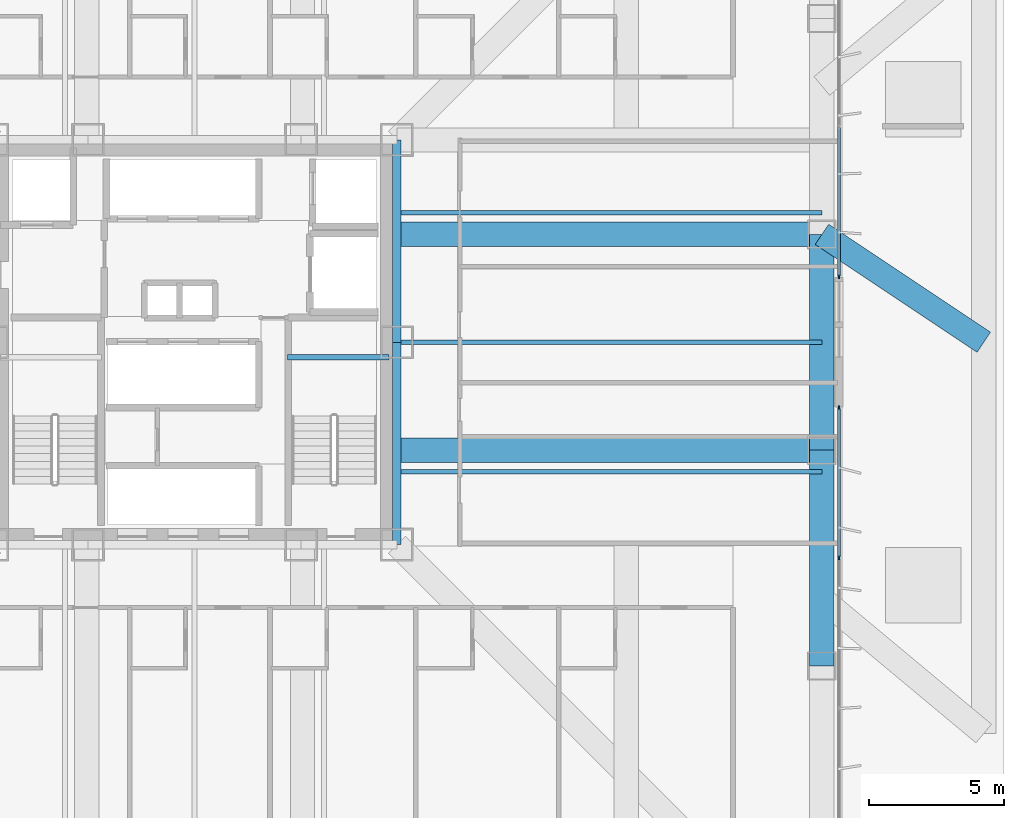
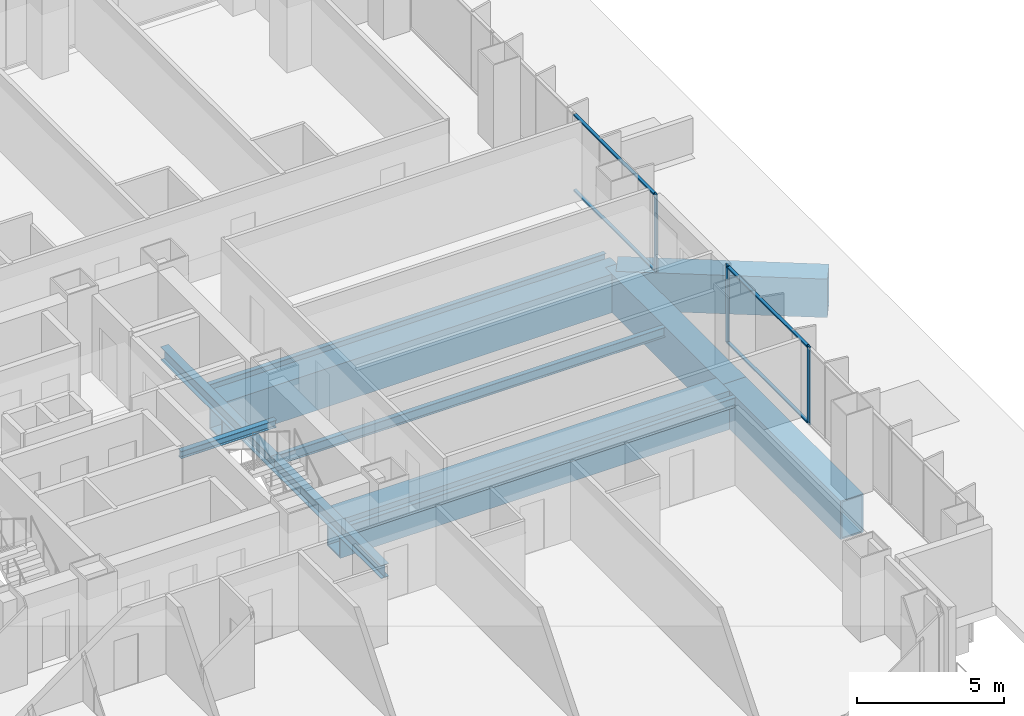
# One storey, part 8 of 24: 11 beams, 7 members, 2 elements without a shape of their own.
"""IFC4 building model written with IfcOpenShell, lengths in metres."""

from ifc_helpers import new_model, si_unit, direction, frame, origin, origin_2d, place, context, subcontext, project, spatial, rectangle, hollow_rectangle, i_section, extrude, material, layer, layer_set, material_profile, profile_set, type_object, element, aggregate, save


model = new_model("IFC4")

# Units and contexts
model_context = context("Model", 3, precision=1e-05, world=origin(), true_north=direction((0.0, 1.0)))
body_context = subcontext(model_context, "Body", "Model", "MODEL_VIEW")
ifc_project = project(units=[si_unit("LENGTHUNIT", "METRE"), si_unit("AREAUNIT", "SQUARE_METRE"), si_unit("VOLUMEUNIT", "CUBIC_METRE"), si_unit("PLANEANGLEUNIT", "RADIAN"), si_unit("MASSUNIT", "GRAM", prefix="KILO")], contexts=[model_context])

# Site, building, storey
site_placement = place(None, origin())
site = spatial("IfcSite", under=ifc_project, at=site_placement, CompositionType="ELEMENT")
building_placement = place(site_placement, origin())
building = spatial("IfcBuilding", under=site, at=building_placement, Name="Trevonay Congress Spire", CompositionType="ELEMENT")
storey_placement = place(building_placement, frame((0.0, 0.0, 27.0)))
storey = spatial("IfcBuildingStorey", under=building, at=storey_placement, Name="L05", CompositionType="ELEMENT", Elevation=27.0)

# Beams
ifc_material_1 = material(Name="Steel ASTM A572 Grade 50", Category="steel")
ifc_material_profile_1 = material_profile(ifc_material_1, i_section(OverallWidth=0.31201171875, OverallDepth=0.54296875, WebThickness=0.0126953125, FlangeThickness=0.020263671875, FilletRadius=0.014892578125, at=origin_2d()), Name="W530x150")
ifc_profile_set_1 = profile_set([ifc_material_profile_1], Name="Steel ASTM A572 Grade 50")
beam_type_1 = type_object("IfcBeamType", Name="BM-GIRD-W530X150", PredefinedType="BEAM", material=ifc_profile_set_1)
for number, where, z_axis, x_axis, name in (
    (1, (7.5, -7.5, -0.67138671875), (0.0, 1.0, 0.0), (-1.0, 0.0, 0.0), "L05 structural beam BM-L05-CR-E1"),
    (2, (7.5, 0.0, -0.67138671875), (0.0, 1.0, 0.0), (-1.0, 0.0, 0.0), "L05 structural beam BM-L05-CR-E2"),
):
    element("IfcBeam", number, at=place(storey_placement, frame(where, z_axis=z_axis, x_axis=x_axis)), inside=storey, type_object=beam_type_1, Name=name, PredefinedType="BEAM", context=body_context, shape_type="SweptSolid", body=[
        extrude(i_section(OverallWidth=0.31201171875, OverallDepth=0.54296875, WebThickness=0.0126953125, FlangeThickness=0.020263671875, FilletRadius=0.014892578125, at=origin_2d()), origin(), (0.0, 0.0, 1.0), 7.5),
    ])
ifc_material_profile_2 = material_profile(ifc_material_1, hollow_rectangle(XDim=0.89990234375, YDim=1.60009765625, WallThickness=0.06005859375, at=origin_2d()), Name="BOX 1600x900x60")
ifc_profile_set_2 = profile_set([ifc_material_profile_2], Name="Steel ASTM A572 Grade 50")
beam_type_2 = type_object("IfcBeamType", Name="BM-RING-BOX1600", PredefinedType="BEAM", material=ifc_profile_set_2)
for number, where, z_axis, x_axis, name in (
    (3, (23.25, -12.0, -1.199951171875), (0.0, 1.0, 0.0), (-1.0, 0.0, 0.0), "L05 structural beam BM-L05-PE2"),
    (4, (23.25, -4.0, -1.199951171875), (0.0, 1.0, 0.0), (-1.0, 0.0, 0.0), "L05 structural beam BM-L05-PE3"),
):
    element("IfcBeam", number, at=place(storey_placement, frame(where, z_axis=z_axis, x_axis=x_axis)), inside=storey, type_object=beam_type_2, Name=name, PredefinedType="BEAM", context=body_context, shape_type="SweptSolid", body=[
        extrude(hollow_rectangle(XDim=0.89990234375, YDim=1.60009765625, WallThickness=0.06005859375, at=origin_2d()), origin(), (0.0, 0.0, 1.0), 8.0),
    ])
ifc_material_profile_3 = material_profile(ifc_material_1, hollow_rectangle(XDim=0.89990234375, YDim=1.60009765625, WallThickness=0.06005859375, at=origin_2d()), Name="BOX 1600x900x60")
ifc_profile_set_3 = profile_set([ifc_material_profile_3], Name="Steel ASTM A572 Grade 50")
beam_type_3 = type_object("IfcBeamType", Name="BM-XFER-BOX1600", PredefinedType="BEAM", material=ifc_profile_set_3)
beam_1_placement = place(storey_placement, frame((23.25, 4.0, -1.199951171875), z_axis=(0.832050294338, -0.554700196225, 0.0), x_axis=(0.554700196225, 0.832050294338, 0.0)))
element("IfcBeam", 5, at=beam_1_placement, inside=storey, type_object=beam_type_3, Name="L05 structural beam BM-L05T-EC", PredefinedType="BEAM", context=body_context, shape_type="SweptSolid", body=[
    extrude(hollow_rectangle(XDim=0.89990234375, YDim=1.60009765625, WallThickness=0.06005859375, at=origin_2d()), origin(), (0.0, 0.0, 1.0), 7.211181640625),
])
for number, where, z_axis, x_axis, name in (
    (6, (7.5, -4.0, -1.199951171875), (1.0, 0.0, 0.0), (0.0, 1.0, 0.0), "L05 structural beam BM-L05-GE-M"),
    (7, (7.5, 4.0, -1.199951171875), (1.0, 0.0, 0.0), (0.0, 1.0, 0.0), "L05 structural beam BM-L05-GE-P"),
):
    element("IfcBeam", number, at=place(storey_placement, frame(where, z_axis=z_axis, x_axis=x_axis)), inside=storey, type_object=beam_type_3, Name=name, PredefinedType="BEAM", context=body_context, shape_type="SweptSolid", body=[
        extrude(hollow_rectangle(XDim=0.89990234375, YDim=1.60009765625, WallThickness=0.06005859375, at=origin_2d()), origin(), (0.0, 0.0, 1.0), 15.75),
    ])

# Curtain wall, members
ifc_material_2 = material(Name="Pale Anodised Aluminium EN AW-6063-T6", Category="aluminium")
ifc_layer = layer(ifc_material_2, 0.179931640625, Name="Pale Anodised Aluminium EN AW-6063-T6")
ifc_layer_set = layer_set([ifc_layer], Name="Pale Anodised Aluminium EN AW-6063-T6")
curtain_wall_type = type_object("IfcCurtainWallType", Name="CW-SYS02-HOTEL-PALE-METAL", PredefinedType="NOTDEFINED", material=ifc_layer_set)
curtain_wall_1_placement = place(storey_placement, origin())
curtain_wall_1 = element("IfcCurtainWall", 8, at=curtain_wall_1_placement, inside=storey, type_object=curtain_wall_type, Name="L05 EA unitised curtain wall", PredefinedType="NOTDEFINED")
ifc_material_profile_4 = material_profile(ifc_material_2, rectangle(XDim=0.06005859375, YDim=0.159912109375, at=origin_2d()), Name="CW-MULLION-160-ALUMINIUM")
ifc_profile_set_4 = profile_set([ifc_material_profile_4], Name="Pale Anodised Aluminium EN AW-6063-T6")
member_type_1 = type_object("IfcMemberType", Name="CW-MULLION-160-ALUMINIUM", PredefinedType="MULLION", material=ifc_profile_set_4)
member_1_placement = place(storey_placement, frame((23.8798828125, -7.9833984375, 0.0), z_axis=(0.0, 0.0, 1.0), x_axis=(-1.0, 0.0, 0.0)))
member_1 = element("IfcMember", 9, at=member_1_placement, type_object=member_type_1, Name="CW02 mullion 3", PredefinedType="MULLION", context=body_context, shape_type="SweptSolid", body=[
    extrude(rectangle(XDim=0.06005859375, YDim=0.159912109375, at=origin_2d()), origin(), (0.0, 0.0, 1.0), 3.25),
])
member_2_placement = place(storey_placement, frame((23.8798828125, -2.429931640625, 0.0), z_axis=(0.0, 0.0, 1.0), x_axis=(-1.0, 0.0, 0.0)))
member_2 = element("IfcMember", 10, at=member_2_placement, type_object=member_type_1, Name="CW02 mullion 4", PredefinedType="MULLION", context=body_context, shape_type="SweptSolid", body=[
    extrude(rectangle(XDim=0.06005859375, YDim=0.159912109375, at=origin_2d()), origin(), (0.0, 0.0, 1.0), 3.25),
])

# Curtain wall, member
curtain_wall_2_placement = place(storey_placement, origin())
curtain_wall_2 = element("IfcCurtainWall", 11, at=curtain_wall_2_placement, inside=storey, type_object=curtain_wall_type, Name="L05 EB unitised curtain wall", PredefinedType="NOTDEFINED")
member_3_placement = place(storey_placement, frame((23.8798828125, 2.429931640625, 0.0), z_axis=(0.0, 0.0, 1.0), x_axis=(-1.0, 0.0, 0.0)))
member_3 = element("IfcMember", 12, at=member_3_placement, type_object=member_type_1, Name="CW02 mullion 1", PredefinedType="MULLION", context=body_context, shape_type="SweptSolid", body=[
    extrude(rectangle(XDim=0.06005859375, YDim=0.159912109375, at=origin_2d()), origin(), (0.0, 0.0, 1.0), 3.25),
])

# Member
ifc_material_profile_5 = material_profile(ifc_material_2, rectangle(XDim=0.1201171875, YDim=0.06005859375, at=origin_2d()), Name="CW-TRANSOM-120-ALUMINIUM")
ifc_profile_set_5 = profile_set([ifc_material_profile_5], Name="Pale Anodised Aluminium EN AW-6063-T6")
member_type_2 = type_object("IfcMemberType", Name="CW-TRANSOM-120-ALUMINIUM", PredefinedType="USERDEFINED", material=ifc_profile_set_5)
member_4_placement = place(storey_placement, frame((23.8798828125, -7.953369140625, 0.06005859375), z_axis=(0.0, 1.0, 0.0), x_axis=(-1.0, 0.0, 0.0)))
member_4 = element("IfcMember", 13, at=member_4_placement, type_object=member_type_2, Name="CW02 transom 3.1", ObjectType="TRANSOM", PredefinedType="USERDEFINED", context=body_context, shape_type="SweptSolid", body=[
    extrude(rectangle(XDim=0.1201171875, YDim=0.06005859375, at=origin_2d()), origin(), (0.0, 0.0, 1.0), 5.493408203125),
])

member_5_placement = place(storey_placement, frame((23.8798828125, -7.953369140625, 3.18994140625), z_axis=(0.0, 1.0, 0.0), x_axis=(-1.0, 0.0, 0.0)))
member_5 = element("IfcMember", 14, at=member_5_placement, type_object=member_type_2, Name="CW02 transom 3.2", ObjectType="TRANSOM", PredefinedType="USERDEFINED", context=body_context, shape_type="SweptSolid", body=[
    extrude(rectangle(XDim=0.1201171875, YDim=0.06005859375, at=origin_2d()), origin(), (0.0, 0.0, 1.0), 5.493408203125),
])

aggregate(curtain_wall_1, [member_1, member_2, member_4, member_5])

member_6_placement = place(storey_placement, frame((23.8798828125, 2.4599609375, 0.06005859375), z_axis=(0.0, 1.0, 0.0), x_axis=(-1.0, 0.0, 0.0)))
member_6 = element("IfcMember", 15, at=member_6_placement, type_object=member_type_2, Name="CW02 transom 1.1", ObjectType="TRANSOM", PredefinedType="USERDEFINED", context=body_context, shape_type="SweptSolid", body=[
    extrude(rectangle(XDim=0.1201171875, YDim=0.06005859375, at=origin_2d()), origin(), (0.0, 0.0, 1.0), 5.493408203125),
])

member_7_placement = place(storey_placement, frame((23.8798828125, 2.4599609375, 3.18994140625), z_axis=(0.0, 1.0, 0.0), x_axis=(-1.0, 0.0, 0.0)))
member_7 = element("IfcMember", 16, at=member_7_placement, type_object=member_type_2, Name="CW02 transom 1.2", ObjectType="TRANSOM", PredefinedType="USERDEFINED", context=body_context, shape_type="SweptSolid", body=[
    extrude(rectangle(XDim=0.1201171875, YDim=0.06005859375, at=origin_2d()), origin(), (0.0, 0.0, 1.0), 5.493408203125),
])

aggregate(curtain_wall_2, [member_3, member_6, member_7])

# Beams
ifc_material_profile_6 = material_profile(ifc_material_1, i_section(OverallWidth=0.177978515625, OverallDepth=0.406982421875, WebThickness=0.0078125, FlangeThickness=0.0126953125, FilletRadius=0.012939453125, at=origin_2d()), Name="W410x60")
ifc_profile_set_6 = profile_set([ifc_material_profile_6], Name="Steel ASTM A572 Grade 50")
beam_type_4 = type_object("IfcBeamType", Name="JS-COMP-W410X60", PredefinedType="JOIST", material=ifc_profile_set_6)
for number, where, z_axis, x_axis, name in (
    (17, (7.5, -4.800048828125, -0.603515625), (1.0, 0.0, 0.0), (0.0, 1.0, 0.0), "L05 structural beam JS-L05-EW-E1"),
    (18, (7.5, 0.0, -0.603515625), (1.0, 0.0, 0.0), (0.0, 1.0, 0.0), "L05 structural beam JS-L05-EW-E2"),
    (19, (7.5, 4.800048828125, -0.603515625), (1.0, 0.0, 0.0), (0.0, 1.0, 0.0), "L05 structural beam JS-L05-EW-E3"),
):
    element("IfcBeam", number, at=place(storey_placement, frame(where, z_axis=z_axis, x_axis=x_axis)), inside=storey, type_object=beam_type_4, Name=name, PredefinedType="JOIST", context=body_context, shape_type="SweptSolid", body=[
        extrude(i_section(OverallWidth=0.177978515625, OverallDepth=0.406982421875, WebThickness=0.0078125, FlangeThickness=0.0126953125, FilletRadius=0.012939453125, at=origin_2d()), origin(), (0.0, 0.0, 1.0), 15.75),
    ])
ifc_material_profile_7 = material_profile(ifc_material_1, i_section(OverallWidth=0.2041015625, OverallDepth=0.305908203125, WebThickness=0.008544921875, FlangeThickness=0.0146484375, FilletRadius=0.010986328125, at=origin_2d()), Name="W310x67")
ifc_profile_set_7 = profile_set([ifc_material_profile_7], Name="Steel ASTM A572 Grade 50")
beam_type_5 = type_object("IfcBeamType", Name="LN-CORE-W310X67", PredefinedType="LINTEL", material=ifc_profile_set_7)
beam_2_placement = place(storey_placement, frame((3.449951171875, -0.550048828125, 1.39697265625), z_axis=(1.0, 0.0, 0.0), x_axis=(0.0, 1.0, 0.0)))
element("IfcBeam", 20, at=beam_2_placement, inside=storey, type_object=beam_type_5, Name="L05 structural beam BM-L05-HL-ST2", PredefinedType="LINTEL", context=body_context, shape_type="SweptSolid", body=[
    extrude(i_section(OverallWidth=0.2041015625, OverallDepth=0.305908203125, WebThickness=0.008544921875, FlangeThickness=0.0146484375, FilletRadius=0.010986328125, at=origin_2d()), origin(), (0.0, 0.0, 1.0), 3.75),
])

save(model, "model.ifc")
